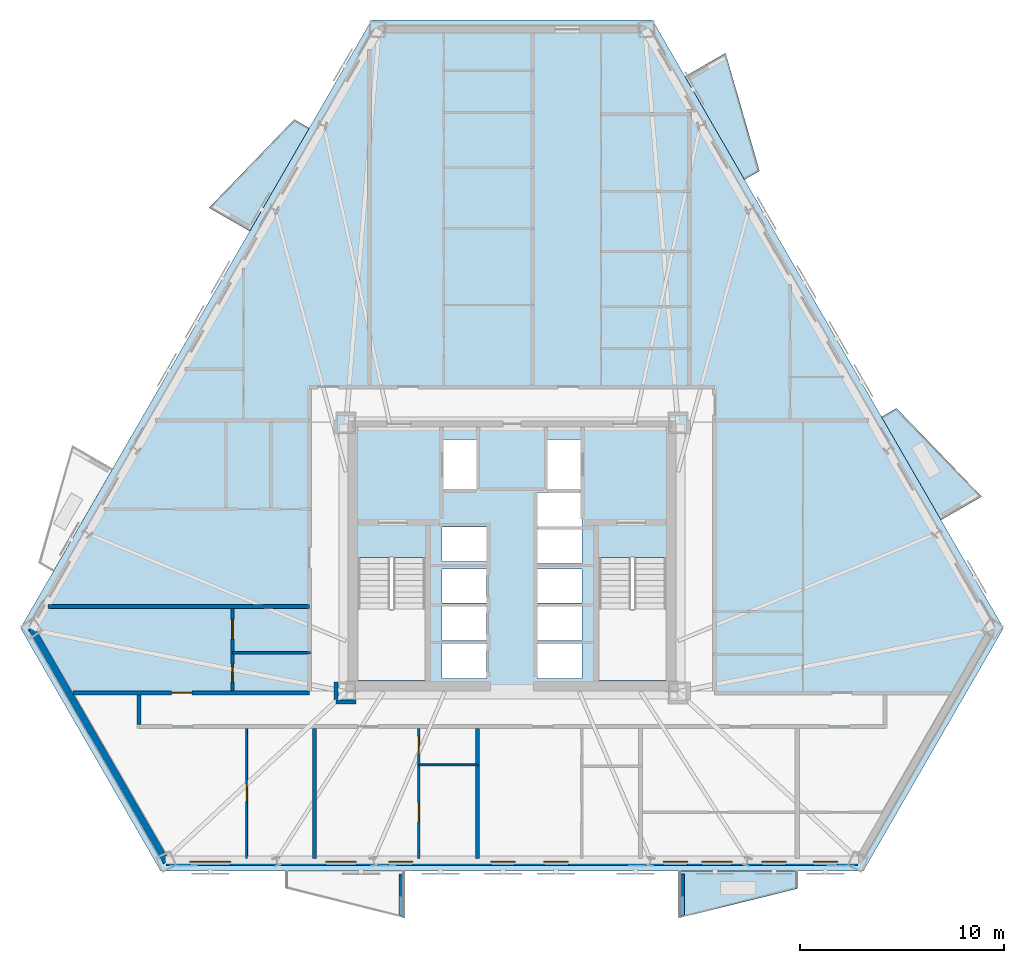
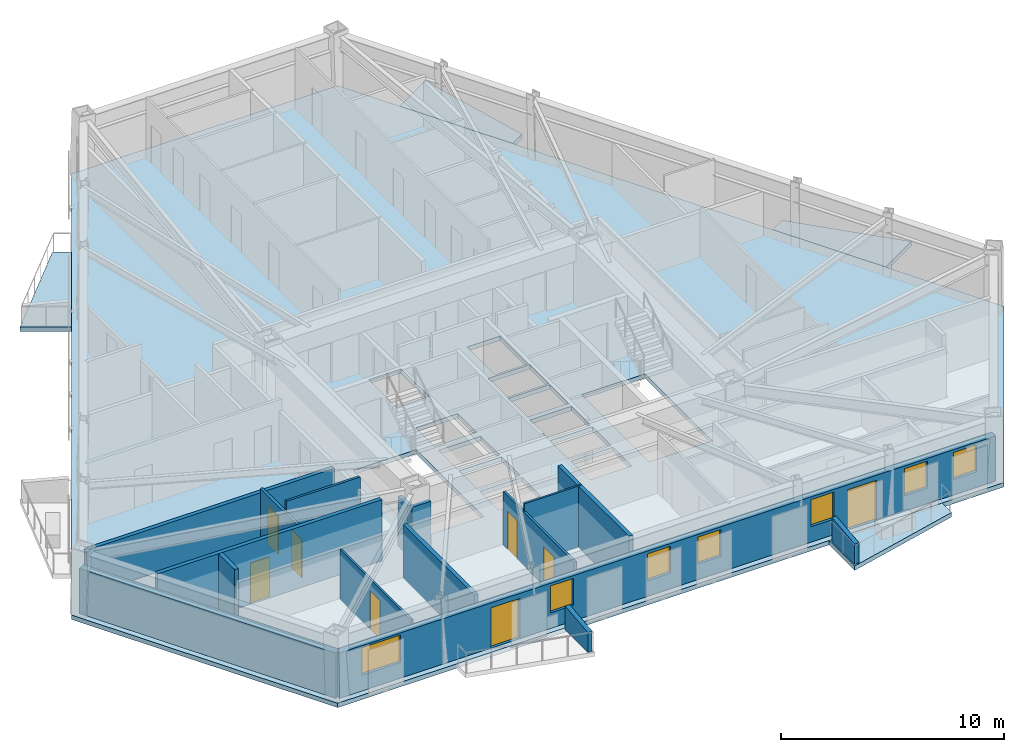
# One storey, part 2 of 10: 16 walls, 8 doors, 7 windows, 5 slabs, 15 openings.
"""IFC4 building model written with IfcOpenShell, lengths in metres."""

import ifcopenshell
import ifcopenshell.guid

model = None  # the IFC model being written
_history = None  # IfcOwnerHistory: only IFC2X3 demands one
_inside = {}  # id of a spatial element -> (the spatial element, [elements in it])
_under = {}  # id of a project, library or spatial element -> (it, [spatial elements below it])
_declared = {}  # id of a project -> (the project, [libraries it declares])
_typed = {}  # id of a type object -> (the type object, [elements of that type])
_made_of = {}  # id of a material, layer set ... -> (it, [elements and type objects made of it])


def new_model(schema):
    """Start an empty IFC model of exactly this schema.

    Asked for "IFC4X3", IfcOpenShell would pick the latest addendum, in which some entities
    have other attributes; the version numbers below select the first issue.
    IFC2X3 requires an IfcOwnerHistory on every rooted entity: one is made here for all.
    """
    global model, _history
    if schema == "IFC4X3":
        model = ifcopenshell.file(schema_version=(4, 3, 0, 0))
    else:
        model = ifcopenshell.file(schema=schema)
    _inside.clear()
    _under.clear()
    _declared.clear()
    _typed.clear()
    _made_of.clear()
    _history = None
    if model.schema == "IFC2X3":
        org = make("IfcOrganization", Name="unknown")
        user = make(
            "IfcPersonAndOrganization",
            ThePerson=make("IfcPerson", FamilyName="unknown"),
            TheOrganization=org,
        )
        app = make(
            "IfcApplication",
            ApplicationDeveloper=org,
            Version="unknown",
            ApplicationFullName="unknown",
            ApplicationIdentifier="unknown",
        )
        _history = make(
            "IfcOwnerHistory",
            OwningUser=user,
            OwningApplication=app,
            ChangeAction="ADDED",
            CreationDate=0,
        )
    return model


def make(cls, **values):
    """One entity of the class cls with the attributes given. An attribute that is None is left unset."""
    return model.create_entity(
        cls, **{name: value for name, value in values.items() if value is not None}
    )


def rooted(cls, **values):
    """An entity with a GlobalId (a new one), such as an element, a storey or a relation."""
    return make(cls, GlobalId=ifcopenshell.guid.new(), OwnerHistory=_history, **values)


def si_unit(unit_type, name, prefix=None):
    """IfcSIUnit, for example si_unit("LENGTHUNIT", "METRE", prefix="MILLI")."""
    return make("IfcSIUnit", UnitType=unit_type, Prefix=prefix, Name=name)


def assignment(units):
    """IfcUnitAssignment: the units of a project."""
    return None if units is None else make("IfcUnitAssignment", Units=units)


def point(xyz):
    """IfcCartesianPoint."""
    return None if xyz is None else make("IfcCartesianPoint", Coordinates=xyz)


def direction(xyz):
    """IfcDirection."""
    return None if xyz is None else make("IfcDirection", DirectionRatios=xyz)


def frame(location, z_axis=None, x_axis=None):
    """IfcAxis2Placement3D, a coordinate frame: its origin and axes. An axis left out is left unset."""
    return make(
        "IfcAxis2Placement3D",
        Location=point(location),
        Axis=direction(z_axis),
        RefDirection=direction(x_axis),
    )


def frame_2d(location, x_axis=None):
    """IfcAxis2Placement2D, a coordinate frame in the plane: its origin and x axis."""
    return make(
        "IfcAxis2Placement2D", Location=point(location), RefDirection=direction(x_axis)
    )


def origin():
    """The frame at (0, 0, 0) with its axes left unset."""
    return frame((0.0, 0.0, 0.0))


def place(relative_to, where):
    """IfcLocalPlacement: puts the frame where relative to a parent placement (None: the world)."""
    return make(
        "IfcLocalPlacement", PlacementRelTo=relative_to, RelativePlacement=where
    )


def context(
    kind, dimensions, precision=None, world=None, true_north=None, identifier=None
):
    """IfcGeometricRepresentationContext, for example the 3D "Model" context."""
    return make(
        "IfcGeometricRepresentationContext",
        ContextIdentifier=identifier,
        ContextType=kind,
        CoordinateSpaceDimension=dimensions,
        Precision=precision,
        WorldCoordinateSystem=world,
        TrueNorth=true_north,
    )


def subcontext(parent, identifier, kind, view, scale=None):
    """IfcGeometricRepresentationSubContext, for example "Body" below "Model"."""
    return make(
        "IfcGeometricRepresentationSubContext",
        ContextIdentifier=identifier,
        ContextType=kind,
        ParentContext=parent,
        TargetScale=scale,
        TargetView=view,
    )


def project(units=None, contexts=None):
    """IfcProject with its units and contexts."""
    return rooted(
        "IfcProject",
        Name="project",
        RepresentationContexts=contexts,
        UnitsInContext=assignment(units),
    )


def spatial(cls, under=None, at=None, **own):
    """A site, building, storey or space (cls), placed at a placement, below another one or the project."""
    s = rooted(cls, ObjectPlacement=at, **own)
    if under is not None:
        _under.setdefault(under.id(), (under, []))[1].append(s)
    return s


def polyline(points):
    """IfcPolyline through the points."""
    return make("IfcPolyline", Points=[point(p) for p in points])


def profile(cls, at=None, kind="AREA", **sizes):
    """A parametric profile (cls). Its sizes go by their IFC names, for example OverallWidth=200.0."""
    return make(cls, ProfileType=kind, Position=at, **sizes)


def rectangle(**sizes):
    """IfcRectangleProfileDef."""
    return profile("IfcRectangleProfileDef", **sizes)


def outline(outer, holes=None, kind="AREA"):
    """IfcArbitraryClosedProfileDef: a profile drawn as a closed curve; with holes, ...WithVoids."""
    if holes is None:
        return make("IfcArbitraryClosedProfileDef", ProfileType=kind, OuterCurve=outer)
    return make(
        "IfcArbitraryProfileDefWithVoids",
        ProfileType=kind,
        OuterCurve=outer,
        InnerCurves=holes,
    )


def extrude(swept, where, along, depth):
    """IfcExtrudedAreaSolid: the profile swept, set in the frame where, extruded along a direction by depth."""
    return make(
        "IfcExtrudedAreaSolid",
        SweptArea=swept,
        Position=where,
        ExtrudedDirection=direction(along),
        Depth=depth,
    )


def shape(context_of_items, identifier, shape_type, items):
    """IfcShapeRepresentation: the items that make up one representation, for example the "Body"."""
    return make(
        "IfcShapeRepresentation",
        ContextOfItems=context_of_items,
        RepresentationIdentifier=identifier,
        RepresentationType=shape_type,
        Items=items,
    )


def material(Name=None, Category=None):
    """IfcMaterial."""
    return make("IfcMaterial", Name=Name, Category=Category)


def layer(
    of_material, thickness, ventilated=None, Name=None, Category=None, Priority=None
):
    """IfcMaterialLayer: one layer of a wall or slab, of a material (None: an air gap)."""
    return make(
        "IfcMaterialLayer",
        Material=of_material,
        LayerThickness=thickness,
        IsVentilated=ventilated,
        Name=Name,
        Category=Category,
        Priority=Priority,
    )


def layer_set(layers, Name=None):
    """IfcMaterialLayerSet."""
    return make("IfcMaterialLayerSet", MaterialLayers=layers, LayerSetName=Name)


def made_of(thing, what):
    """Note that an element or type object is made of a material, layer set ...; save() writes the relation."""
    if what is not None:
        _made_of.setdefault(what.id(), (what, []))[1].append(thing)
    return thing


def type_object(cls, material=None, **own):
    """A type object (cls), such as IfcWallType, which elements share."""
    return made_of(rooted(cls, **own), material)


def element(
    cls,
    number,
    at=None,
    inside=None,
    cuts=None,
    type_object=None,
    material=None,
    context=None,
    identifier="Body",
    shape_type=None,
    held_by="IfcProductDefinitionShape",
    body=None,
    shapes=None,
    **own,
):
    """One element of the class cls, such as IfcWall. Its Tag is "e" and its number.

    at: its placement. inside: the storey or other place that contains it. cuts: it is an
    opening in that element (IfcRelVoidsElement). A single representation is given by context,
    identifier, shape_type and body (its items); several are given by shapes. held_by: the class
    of the entity that holds the representations. save() writes the other relations.
    """
    e = rooted(cls, Tag="e%d" % number, ObjectPlacement=at, **own)
    if body is not None:
        shapes = [shape(context, identifier, shape_type, body)]
    if shapes is not None:
        e.Representation = make(held_by, Representations=shapes)
    if inside is not None:
        _inside.setdefault(inside.id(), (inside, []))[1].append(e)
    if cuts is not None:
        rooted(
            "IfcRelVoidsElement", RelatingBuildingElement=cuts, RelatedOpeningElement=e
        )
    if type_object is not None:
        _typed.setdefault(type_object.id(), (type_object, []))[1].append(e)
    return made_of(e, material)


def fill(opening, filler):
    """IfcRelFillsElement: the door or window that sits in an opening."""
    return rooted(
        "IfcRelFillsElement",
        RelatingOpeningElement=opening,
        RelatedBuildingElement=filler,
    )


def aggregate(whole, parts):
    """IfcRelAggregates: a whole, such as a stair, and the parts it consists of."""
    return rooted("IfcRelAggregates", RelatingObject=whole, RelatedObjects=parts)


def save(model, path):
    """Write the relations noted so far, then the file.

    IfcRelAggregates (storeys below a building ...), IfcRelContainedInSpatialStructure (elements
    in a storey), IfcRelDefinesByType, IfcRelAssociatesMaterial and IfcRelDeclares: one each for
    every whole, place, type object, material and project.
    """
    for whole, parts in _under.values():
        aggregate(whole, parts)
    for where, things in _inside.values():
        rooted(
            "IfcRelContainedInSpatialStructure",
            RelatedElements=things,
            RelatingStructure=where,
        )
    for kind, things in _typed.values():
        rooted("IfcRelDefinesByType", RelatedObjects=things, RelatingType=kind)
    for what, things in _made_of.values():
        rooted("IfcRelAssociatesMaterial", RelatedObjects=things, RelatingMaterial=what)
    for by, libraries in _declared.values():
        rooted("IfcRelDeclares", RelatingContext=by, RelatedDefinitions=libraries)
    model.write(path)


model = new_model("IFC4")

# Units and contexts
model_context = context("Model", 3, precision=1e-05, world=origin(), true_north=direction((0.0, 1.0)))
body_context = subcontext(model_context, "Body", "Model", "MODEL_VIEW")
ifc_project = project(units=[si_unit("LENGTHUNIT", "METRE"), si_unit("AREAUNIT", "SQUARE_METRE"), si_unit("VOLUMEUNIT", "CUBIC_METRE"), si_unit("PLANEANGLEUNIT", "RADIAN"), si_unit("MASSUNIT", "GRAM", prefix="KILO")], contexts=[model_context])

# Site, building, storey
site_placement = place(None, origin())
site = spatial("IfcSite", under=ifc_project, at=site_placement, CompositionType="ELEMENT")
building_placement = place(site_placement, origin())
building = spatial("IfcBuilding", under=site, at=building_placement, Name="Oramaril Tower", CompositionType="ELEMENT")
storey_placement = place(building_placement, frame((0.0, 0.0, 74.10009765625)))
storey = spatial("IfcBuildingStorey", under=building, at=storey_placement, Name="L19", CompositionType="ELEMENT", Elevation=74.10009765625)

# Slabs
ifc_material_1 = material(Name="Concrete C40/50", Category="concrete")
ifc_layer_1 = layer(ifc_material_1, 0.199951171875)
ifc_layer_set_1 = layer_set([ifc_layer_1], Name="SLT-BAL20")
slab_type_1 = type_object("IfcSlabType", Name="SLT-BAL20", PredefinedType="FLOOR", material=ifc_layer_set_1)
slab_1_placement = place(storey_placement, frame((0.0, 0.0, -0.239990234375)))
element("IfcSlab", 1, at=slab_1_placement, inside=storey, type_object=slab_type_1, Name="L19 Cantilevered Balcony Slab L19-BAL-NE2", PredefinedType="FLOOR", context=body_context, shape_type="SweptSolid", body=[
    extrude(outline(polyline([(48.91259765625, 36.139892578125), (45.98779296875, 41.2060546875), (47.981201171875, 42.357177734375), (49.650390625, 36.56591796875), (48.91259765625, 36.139892578125)])), origin(), (0.0, 0.0, 1.0), 0.239990234375),
])
slab_2_placement = place(storey_placement, frame((0.0, 0.0, -0.239990234375)))
element("IfcSlab", 2, at=slab_2_placement, inside=storey, type_object=slab_type_1, Name="L19 Cantilevered Balcony Slab L19-BAL-NW1", PredefinedType="FLOOR", context=body_context, shape_type="SweptSolid", body=[
    extrude(outline(polyline([(27.5498046875, 38.673095703125), (24.624755859375, 33.606689453125), (22.631103515625, 34.7578125), (26.81201171875, 39.09912109375), (27.5498046875, 38.673095703125)])), origin(), (0.0, 0.0, 1.0), 0.239990234375),
])
ifc_material_2 = material(Name="Concrete C50/60", Category="concrete")
ifc_layer_2 = layer(ifc_material_2, 0.239990234375)
ifc_layer_set_2 = layer_set([ifc_layer_2], Name="SLT-FLR24")
slab_type_2 = type_object("IfcSlabType", Name="SLT-FLR24", PredefinedType="FLOOR", material=ifc_layer_set_2)
slab_3_placement = place(storey_placement, frame((0.0, 0.0, -0.239990234375)))
element("IfcSlab", 3, at=slab_3_placement, inside=storey, type_object=slab_type_2, Name="L19 Structural Floor Slab", PredefinedType="FLOOR", context=body_context, shape_type="SweptSolid", body=[
    extrude(outline(polyline([(13.3759765625, 14.127197265625), (20.265380859375, 2.1943359375), (54.734619140625, 2.1943359375), (61.6240234375, 14.127197265625), (44.389404296875, 43.978515625), (30.610595703125, 43.978515625), (13.3759765625, 14.127197265625)]), holes=[polyline([(29.949951171875, 17.58935546875), (29.949951171875, 11.550048828125), (33.219970703125, 11.550048828125), (33.219970703125, 17.58935546875), (29.949951171875, 17.58935546875)]), polyline([(41.780029296875, 17.58935546875), (41.780029296875, 11.550048828125), (45.050048828125, 11.550048828125), (45.050048828125, 17.58935546875), (41.780029296875, 17.58935546875)]), polyline([(34.110107421875, 20.909912109375), (35.7900390625, 20.909912109375), (35.7900390625, 23.389892578125), (34.110107421875, 23.389892578125), (34.110107421875, 20.909912109375)]), polyline([(39.2099609375, 20.909912109375), (40.889892578125, 20.909912109375), (40.889892578125, 23.389892578125), (39.2099609375, 23.389892578125), (39.2099609375, 20.909912109375)]), polyline([(34.06005859375, 11.659912109375), (36.239990234375, 11.659912109375), (36.239990234375, 13.340087890625), (34.06005859375, 13.340087890625), (34.06005859375, 11.659912109375)]), polyline([(34.06005859375, 13.510009765625), (36.239990234375, 13.510009765625), (36.239990234375, 15.18994140625), (34.06005859375, 15.18994140625), (34.06005859375, 13.510009765625)]), polyline([(34.06005859375, 15.360107421875), (36.239990234375, 15.360107421875), (36.239990234375, 17.0400390625), (34.06005859375, 17.0400390625), (34.06005859375, 15.360107421875)]), polyline([(38.760009765625, 11.659912109375), (40.93994140625, 11.659912109375), (40.93994140625, 13.340087890625), (38.760009765625, 13.340087890625), (38.760009765625, 11.659912109375)]), polyline([(38.760009765625, 13.510009765625), (40.93994140625, 13.510009765625), (40.93994140625, 15.18994140625), (38.760009765625, 15.18994140625), (38.760009765625, 13.510009765625)]), polyline([(38.760009765625, 15.360107421875), (40.93994140625, 15.360107421875), (40.93994140625, 17.0400390625), (38.760009765625, 17.0400390625), (38.760009765625, 15.360107421875)]), polyline([(34.06005859375, 17.409912109375), (36.239990234375, 17.409912109375), (36.239990234375, 19.090087890625), (34.06005859375, 19.090087890625), (34.06005859375, 17.409912109375)]), polyline([(38.760009765625, 17.31005859375), (40.93994140625, 17.31005859375), (40.93994140625, 18.989990234375), (38.760009765625, 18.989990234375), (38.760009765625, 17.31005859375)]), polyline([(38.760009765625, 19.110107421875), (40.93994140625, 19.110107421875), (40.93994140625, 20.7900390625), (38.760009765625, 20.7900390625), (38.760009765625, 19.110107421875)])]), origin(), (0.0, 0.0, 1.0), 0.239990234375),
])
ifc_material_3 = material(Name="Concrete C40/50", Category="concrete")
ifc_layer_3 = layer(ifc_material_3, 0.18994140625)
ifc_layer_set_3 = layer_set([ifc_layer_3], Name="SLT-PLN19")
slab_type_3 = type_object("IfcSlabType", Name="SLT-PLN19", PredefinedType="FLOOR", material=ifc_layer_set_3)
slab_4_placement = place(storey_placement, frame((0.0, 0.0, -0.239990234375)))
element("IfcSlab", 4, at=slab_4_placement, inside=storey, type_object=slab_type_3, Name="L19 Tree Planter Balcony Slab L19-BAL-S2", PredefinedType="FLOOR", context=body_context, shape_type="SweptSolid", body=[
    extrude(outline(polyline([(45.6845703125, 2.1962890625), (51.53466796875, 2.1962890625), (51.53466796875, 1.344482421875), (45.6845703125, -0.105712890625), (45.6845703125, 2.1962890625)])), origin(), (0.0, 0.0, 1.0), 0.239990234375),
])
slab_5_placement = place(storey_placement, frame((0.0, 0.0, -0.239990234375)))
element("IfcSlab", 5, at=slab_5_placement, inside=storey, type_object=slab_type_3, Name="L19 Tree Planter Balcony Slab L19-BAL-NE1", PredefinedType="FLOOR", context=body_context, shape_type="SweptSolid", body=[
    extrude(outline(polyline([(58.559814453125, 19.4306640625), (55.634765625, 24.496826171875), (56.37255859375, 24.9228515625), (60.553466796875, 20.58154296875), (58.559814453125, 19.4306640625)])), origin(), (0.0, 0.0, 1.0), 0.239990234375),
])

# Wall
ifc_material_4 = material(Name="Warm Cream Limestone", Category="masonry")
ifc_layer_4 = layer(ifc_material_4, 0.340087890625)
ifc_layer_set_4 = layer_set([ifc_layer_4], Name="WT-EXT34")
wall_type_1 = type_object("IfcWallType", Name="WT-EXT34", PredefinedType="SOLIDWALL", material=ifc_layer_set_4)
wall_1_placement = place(storey_placement, frame((13.9072265625, 14.127197265625, 0.0), z_axis=(0.0, 0.0, 1.0), x_axis=(0.499994178302, -0.866028764917, 0.0)))
element("IfcWall", 6, at=wall_1_placement, inside=storey, type_object=wall_type_1, Name="L19 Tower Limestone Facade Wall 1M", PredefinedType="SOLIDWALL", context=body_context, shape_type="SweptSolid", body=[
    extrude(rectangle(XDim=13.247802734375, YDim=0.340087890625, at=frame_2d((6.6240234375, 0.0))), origin(), (0.0, 0.0, 1.0), 2.473876953125),
])

# Wall, openings, doors, windows
wall_2_placement = place(storey_placement, frame((20.531005859375, 2.654296875, 0.0), z_axis=(0.0, 0.0, 1.0), x_axis=(1.0, 0.0, 0.0)))
wall_2 = element("IfcWall", 7, at=wall_2_placement, inside=storey, type_object=wall_type_1, Name="L19 Tower Limestone Facade Wall 2M", PredefinedType="SOLIDWALL", context=body_context, shape_type="SweptSolid", body=[
    extrude(rectangle(XDim=33.93798828125, YDim=0.340087890625, at=frame_2d((16.968994140625, 0.0))), origin(), (0.0, 0.0, 1.0), 2.473876953125),
])
opening_1_placement = place(wall_2_placement, frame((7.824462890625, 0.0, 0.0)))
opening_1 = element("IfcOpeningElement", 8, at=opening_1_placement, cuts=wall_2, Name="Opening D-L19-BAL-S1", PredefinedType="OPENING", context=body_context, shape_type="SweptSolid", body=[
    extrude(rectangle(XDim=1.5, YDim=2.199951171875, at=frame_2d((0.75, 1.10009765625))), frame((0.0, 0.169921875, 0.0), z_axis=(0.0, -1.0, 0.0), x_axis=(1.0, 0.0, 0.0)), (0.0, 0.0, 1.0), 0.340087890625),
])
opening_2_placement = place(wall_2_placement, frame((26.278564453125, 0.0, 0.0)))
opening_2 = element("IfcOpeningElement", 9, at=opening_2_placement, cuts=wall_2, Name="Opening D-L19-BAL-S2", PredefinedType="OPENING", context=body_context, shape_type="SweptSolid", body=[
    extrude(rectangle(XDim=1.5, YDim=2.199951171875, at=frame_2d((0.75, 1.10009765625))), frame((0.0, 0.169921875, 0.0), z_axis=(0.0, -1.0, 0.0), x_axis=(1.0, 0.0, 0.0)), (0.0, 0.0, 1.0), 0.340087890625),
])
opening_3_placement = place(wall_2_placement, frame((1.160888671875, 0.0, 0.85009765625)))
opening_3 = element("IfcOpeningElement", 10, at=opening_3_placement, cuts=wall_2, Name="Opening WN-05", PredefinedType="OPENING", context=body_context, shape_type="SweptSolid", body=[
    extrude(rectangle(XDim=2.0, YDim=1.513916015625, at=frame_2d((1.0, 0.7568359375))), frame((0.0, 0.169921875, 0.0), z_axis=(0.0, -1.0, 0.0), x_axis=(1.0, 0.0, 0.0)), (0.0, 0.0, 1.0), 0.340087890625),
])
opening_4_placement = place(wall_2_placement, frame((10.908203125, 0.0, 0.85009765625)))
opening_4 = element("IfcOpeningElement", 11, at=opening_4_placement, cuts=wall_2, Name="Opening WN-09", PredefinedType="OPENING", context=body_context, shape_type="SweptSolid", body=[
    extrude(rectangle(XDim=1.199951171875, YDim=1.47412109375, at=frame_2d((0.60009765625, 0.737060546875))), frame((0.0, 0.169921875, 0.0), z_axis=(0.0, -1.0, 0.0), x_axis=(1.0, 0.0, 0.0)), (0.0, 0.0, 1.0), 0.340087890625),
])
opening_5_placement = place(wall_2_placement, frame((15.926513671875, 0.0, 0.85009765625)))
opening_5 = element("IfcOpeningElement", 12, at=opening_5_placement, cuts=wall_2, Name="Opening WN-09", PredefinedType="OPENING", context=body_context, shape_type="SweptSolid", body=[
    extrude(rectangle(XDim=1.199951171875, YDim=1.47412109375, at=frame_2d((0.60009765625, 0.737060546875))), frame((0.0, 0.169921875, 0.0), z_axis=(0.0, -1.0, 0.0), x_axis=(1.0, 0.0, 0.0)), (0.0, 0.0, 1.0), 0.340087890625),
])
opening_6_placement = place(wall_2_placement, frame((18.531494140625, 0.0, 0.85009765625)))
opening_6 = element("IfcOpeningElement", 13, at=opening_6_placement, cuts=wall_2, Name="Opening WN-09", PredefinedType="OPENING", context=body_context, shape_type="SweptSolid", body=[
    extrude(rectangle(XDim=1.199951171875, YDim=1.47412109375, at=frame_2d((0.60009765625, 0.737060546875))), frame((0.0, 0.169921875, 0.0), z_axis=(0.0, -1.0, 0.0), x_axis=(1.0, 0.0, 0.0)), (0.0, 0.0, 1.0), 0.340087890625),
])
opening_7_placement = place(wall_2_placement, frame((24.38818359375, 0.0, 0.85009765625)))
opening_7 = element("IfcOpeningElement", 14, at=opening_7_placement, cuts=wall_2, Name="Opening WN-09", PredefinedType="OPENING", context=body_context, shape_type="SweptSolid", body=[
    extrude(rectangle(XDim=1.199951171875, YDim=1.47412109375, at=frame_2d((0.60009765625, 0.737060546875))), frame((0.0, 0.169921875, 0.0), z_axis=(0.0, -1.0, 0.0), x_axis=(1.0, 0.0, 0.0)), (0.0, 0.0, 1.0), 0.340087890625),
])
opening_8_placement = place(wall_2_placement, frame((29.22021484375, 0.0, 0.85009765625)))
opening_8 = element("IfcOpeningElement", 15, at=opening_8_placement, cuts=wall_2, Name="Opening WN-09", PredefinedType="OPENING", context=body_context, shape_type="SweptSolid", body=[
    extrude(rectangle(XDim=1.199951171875, YDim=1.47412109375, at=frame_2d((0.60009765625, 0.737060546875))), frame((0.0, 0.169921875, 0.0), z_axis=(0.0, -1.0, 0.0), x_axis=(1.0, 0.0, 0.0)), (0.0, 0.0, 1.0), 0.340087890625),
])
opening_9_placement = place(wall_2_placement, frame((31.75390625, 0.0, 0.85009765625)))
opening_9 = element("IfcOpeningElement", 16, at=opening_9_placement, cuts=wall_2, Name="Opening WN-09", PredefinedType="OPENING", context=body_context, shape_type="SweptSolid", body=[
    extrude(rectangle(XDim=1.199951171875, YDim=1.47412109375, at=frame_2d((0.60009765625, 0.737060546875))), frame((0.0, 0.169921875, 0.0), z_axis=(0.0, -1.0, 0.0), x_axis=(1.0, 0.0, 0.0)), (0.0, 0.0, 1.0), 0.340087890625),
])
ifc_material_5 = material(Name="Anodised Aluminium 6063-T6", Category="aluminium")
door_type_1 = type_object("IfcDoorType", Name="DT-BAL", OperationType="NOTDEFINED", PredefinedType="DOOR", material=ifc_material_5)
door_1_placement = place(opening_1_placement, origin())
door_1 = element("IfcDoor", 17, at=door_1_placement, inside=storey, type_object=door_type_1, Name="L19 Balcony Glazed Door L19-BAL-S1", OperationType="SINGLE_SWING_RIGHT", OverallHeight=2.199951171875, OverallWidth=1.5, PredefinedType="DOOR", context=body_context, shape_type="SweptSolid", body=[
    extrude(rectangle(XDim=1.5, YDim=2.199951171875, at=frame_2d((0.75, 1.10009765625))), frame((0.0, 0.02490234375, 0.0), z_axis=(0.0, -1.0, 0.0), x_axis=(1.0, 0.0, 0.0)), (0.0, 0.0, 1.0), 0.050048828125),
])
fill(opening_1, door_1)
door_2_placement = place(opening_2_placement, origin())
door_2 = element("IfcDoor", 18, at=door_2_placement, inside=storey, type_object=door_type_1, Name="L19 Balcony Glazed Door L19-BAL-S2", OperationType="SINGLE_SWING_LEFT", OverallHeight=2.199951171875, OverallWidth=1.5, PredefinedType="DOOR", context=body_context, shape_type="SweptSolid", body=[
    extrude(rectangle(XDim=1.5, YDim=2.199951171875, at=frame_2d((0.75, 1.10009765625))), frame((0.0, 0.02490234375, 0.0), z_axis=(0.0, -1.0, 0.0), x_axis=(1.0, 0.0, 0.0)), (0.0, 0.0, 1.0), 0.050048828125),
])
fill(opening_2, door_2)
ifc_material_6 = material(Name="Coastal Low-E Insulated Glass", Category="glass")
window_type_1 = type_object("IfcWindowType", Name="WNT-05", PartitioningType="SINGLE_PANEL", PredefinedType="WINDOW", material=ifc_material_6)
window_1_placement = place(opening_3_placement, origin())
window_1 = element("IfcWindow", 19, at=window_1_placement, inside=storey, type_object=window_type_1, Name="L19 Chicago Bay Window WN-05", OverallHeight=1.513916015625, OverallWidth=2.0, PartitioningType="SINGLE_PANEL", PredefinedType="WINDOW", context=body_context, shape_type="SweptSolid", body=[
    extrude(rectangle(XDim=2.0, YDim=1.513916015625, at=frame_2d((1.0, 0.7568359375))), frame((0.0, 0.030029296875, 0.0), z_axis=(0.0, -1.0, 0.0), x_axis=(1.0, 0.0, 0.0)), (0.0, 0.0, 1.0), 0.06005859375),
])
fill(opening_3, window_1)
ifc_material_7 = material(Name="Coastal Low-E Insulated Glass", Category="glass")
window_type_2 = type_object("IfcWindowType", Name="WNT-09", PartitioningType="SINGLE_PANEL", PredefinedType="WINDOW", material=ifc_material_7)
window_2_placement = place(opening_4_placement, origin())
window_2 = element("IfcWindow", 20, at=window_2_placement, inside=storey, type_object=window_type_2, Name="L19 Chicago Bay Window WN-09", OverallHeight=1.47412109375, OverallWidth=1.199951171875, PartitioningType="SINGLE_PANEL", PredefinedType="WINDOW", context=body_context, shape_type="SweptSolid", body=[
    extrude(rectangle(XDim=1.199951171875, YDim=1.47412109375, at=frame_2d((0.60009765625, 0.737060546875))), frame((0.0, 0.030029296875, 0.0), z_axis=(0.0, -1.0, 0.0), x_axis=(1.0, 0.0, 0.0)), (0.0, 0.0, 1.0), 0.06005859375),
])
fill(opening_4, window_2)
window_3_placement = place(opening_5_placement, origin())
window_3 = element("IfcWindow", 21, at=window_3_placement, inside=storey, type_object=window_type_2, Name="L19 Chicago Bay Window WN-09", OverallHeight=1.47412109375, OverallWidth=1.199951171875, PartitioningType="SINGLE_PANEL", PredefinedType="WINDOW", context=body_context, shape_type="SweptSolid", body=[
    extrude(rectangle(XDim=1.199951171875, YDim=1.47412109375, at=frame_2d((0.60009765625, 0.737060546875))), frame((0.0, 0.030029296875, 0.0), z_axis=(0.0, -1.0, 0.0), x_axis=(1.0, 0.0, 0.0)), (0.0, 0.0, 1.0), 0.06005859375),
])
fill(opening_5, window_3)
window_4_placement = place(opening_6_placement, origin())
window_4 = element("IfcWindow", 22, at=window_4_placement, inside=storey, type_object=window_type_2, Name="L19 Chicago Bay Window WN-09", OverallHeight=1.47412109375, OverallWidth=1.199951171875, PartitioningType="SINGLE_PANEL", PredefinedType="WINDOW", context=body_context, shape_type="SweptSolid", body=[
    extrude(rectangle(XDim=1.199951171875, YDim=1.47412109375, at=frame_2d((0.60009765625, 0.737060546875))), frame((0.0, 0.030029296875, 0.0), z_axis=(0.0, -1.0, 0.0), x_axis=(1.0, 0.0, 0.0)), (0.0, 0.0, 1.0), 0.06005859375),
])
fill(opening_6, window_4)
window_5_placement = place(opening_7_placement, origin())
window_5 = element("IfcWindow", 23, at=window_5_placement, inside=storey, type_object=window_type_2, Name="L19 Chicago Bay Window WN-09", OverallHeight=1.47412109375, OverallWidth=1.199951171875, PartitioningType="SINGLE_PANEL", PredefinedType="WINDOW", context=body_context, shape_type="SweptSolid", body=[
    extrude(rectangle(XDim=1.199951171875, YDim=1.47412109375, at=frame_2d((0.60009765625, 0.737060546875))), frame((0.0, 0.030029296875, 0.0), z_axis=(0.0, -1.0, 0.0), x_axis=(1.0, 0.0, 0.0)), (0.0, 0.0, 1.0), 0.06005859375),
])
fill(opening_7, window_5)
window_6_placement = place(opening_8_placement, origin())
window_6 = element("IfcWindow", 24, at=window_6_placement, inside=storey, type_object=window_type_2, Name="L19 Chicago Bay Window WN-09", OverallHeight=1.47412109375, OverallWidth=1.199951171875, PartitioningType="SINGLE_PANEL", PredefinedType="WINDOW", context=body_context, shape_type="SweptSolid", body=[
    extrude(rectangle(XDim=1.199951171875, YDim=1.47412109375, at=frame_2d((0.60009765625, 0.737060546875))), frame((0.0, 0.030029296875, 0.0), z_axis=(0.0, -1.0, 0.0), x_axis=(1.0, 0.0, 0.0)), (0.0, 0.0, 1.0), 0.06005859375),
])
fill(opening_8, window_6)
window_7_placement = place(opening_9_placement, origin())
window_7 = element("IfcWindow", 25, at=window_7_placement, inside=storey, type_object=window_type_2, Name="L19 Chicago Bay Window WN-09", OverallHeight=1.47412109375, OverallWidth=1.199951171875, PartitioningType="SINGLE_PANEL", PredefinedType="WINDOW", context=body_context, shape_type="SweptSolid", body=[
    extrude(rectangle(XDim=1.199951171875, YDim=1.47412109375, at=frame_2d((0.60009765625, 0.737060546875))), frame((0.0, 0.030029296875, 0.0), z_axis=(0.0, -1.0, 0.0), x_axis=(1.0, 0.0, 0.0)), (0.0, 0.0, 1.0), 0.06005859375),
])
fill(opening_9, window_7)

# Walls
ifc_material_8 = material(Name="Concrete C40/50", Category="concrete")
ifc_layer_5 = layer(ifc_material_8, 0.22998046875)
ifc_layer_set_5 = layer_set([ifc_layer_5], Name="WT-PRP23")
wall_type_2 = type_object("IfcWallType", Name="WT-PRP23", PredefinedType="PARAPET", material=ifc_layer_set_5)
for number, where, z_axis, x_axis, name in (
    (26, (32.060302734375, 2.056396484375, 0.0), (0.0, 0.0, 1.0), (0.0, -1.0, 0.0), "L19 Trapezoidal Balcony Frame Cheek L19-BAL-S1-R"),
    (27, (45.864501953125, 2.056396484375, 0.0), (0.0, 0.0, 1.0), (0.0, -1.0, 0.0), "L19 Trapezoidal Balcony Frame Cheek L19-BAL-S2-L"),
):
    element("IfcWall", number, at=place(storey_placement, frame(where, z_axis=z_axis, x_axis=x_axis)), inside=storey, type_object=wall_type_2, Name=name, PredefinedType="PARAPET", context=body_context, shape_type="SweptSolid", body=[
        extrude(outline(polyline([(0.0, 0.0), (2.0419921875, 0.0), (2.0419921875, 1.099853515625), (0.0, 1.31982421875), (0.0, 0.0)])), frame((0.0, 0.114990234375, 0.0), z_axis=(0.0, -1.0, 0.0), x_axis=(1.0, 0.0, 0.0)), (0.0, 0.0, 1.0), 0.22998046875),
    ])
ifc_material_9 = material(Name="Acoustic Gypsum Board Partition")
ifc_layer_6 = layer(ifc_material_9, 0.10009765625)
ifc_layer_set_6 = layer_set([ifc_layer_6], Name="WT-PT10")
wall_type_3 = type_object("IfcWallType", Name="WT-PT10", PredefinedType="PARTITIONING", material=ifc_layer_set_6)
wall_3_placement = place(storey_placement, frame((32.919921875, 7.409912109375, 0.0), z_axis=(0.0, 0.0, 1.0), x_axis=(1.0, 0.0, 0.0)))
element("IfcWall", 28, at=wall_3_placement, inside=storey, type_object=wall_type_3, Name="L19 Interior Partition PT-10", PredefinedType="PARTITIONING", context=body_context, shape_type="SweptSolid", body=[
    extrude(rectangle(XDim=2.93017578125, YDim=0.10009765625, at=frame_2d((1.465087890625, 0.0))), origin(), (0.0, 0.0, 1.0), 3.33984375),
])

# Wall, opening, door
wall_4_placement = place(storey_placement, frame((24.469970703125, 2.828369140625, 0.0), z_axis=(0.0, 0.0, 1.0), x_axis=(0.0, 1.0, 0.0)))
wall_4 = element("IfcWall", 29, at=wall_4_placement, inside=storey, type_object=wall_type_3, Name="L19 Interior Partition PT-10", PredefinedType="PARTITIONING", context=body_context, shape_type="SweptSolid", body=[
    extrude(rectangle(XDim=6.36767578125, YDim=0.10009765625, at=frame_2d((3.183837890625, 0.0))), origin(), (0.0, 0.0, 1.0), 2.718017578125),
])
opening_10_placement = place(wall_4_placement, frame((2.78369140625, 0.0, 0.0)))
opening_10 = element("IfcOpeningElement", 30, at=opening_10_placement, cuts=wall_4, Name="Opening D-L19-20", PredefinedType="OPENING", context=body_context, shape_type="SweptSolid", body=[
    extrude(rectangle(XDim=0.8798828125, YDim=2.080078125, at=frame_2d((0.43994140625, 1.0400390625))), frame((0.0, 0.050048828125, 0.0), z_axis=(0.0, -1.0, 0.0), x_axis=(1.0, 0.0, 0.0)), (0.0, 0.0, 1.0), 0.10009765625),
])
ifc_material_10 = material(Name="FSC Brazilian Freijo Hardwood", Category="wood")
door_type_2 = type_object("IfcDoorType", Name="DT-BATH", OperationType="NOTDEFINED", PredefinedType="DOOR", material=ifc_material_10)
door_3_placement = place(opening_10_placement, origin())
door_3 = element("IfcDoor", 31, at=door_3_placement, inside=storey, type_object=door_type_2, Name="L19 Flat L19-U1 Bathroom Door D-L19-20", OperationType="SINGLE_SWING_RIGHT", OverallHeight=2.080078125, OverallWidth=0.8798828125, PredefinedType="DOOR", context=body_context, shape_type="SweptSolid", body=[
    extrude(rectangle(XDim=0.8798828125, YDim=2.080078125, at=frame_2d((0.43994140625, 1.0400390625))), frame((0.0, 0.02490234375, 0.0), z_axis=(0.0, -1.0, 0.0), x_axis=(1.0, 0.0, 0.0)), (0.0, 0.0, 1.0), 0.050048828125),
])
fill(opening_10, door_3)

# Wall
ifc_material_11 = material(Name="Acoustic Gypsum Board Partition")
ifc_layer_7 = layer(ifc_material_11, 0.1201171875)
ifc_layer_set_7 = layer_set([ifc_layer_7], Name="WT-PT12")
wall_type_4 = type_object("IfcWallType", Name="WT-PT12", PredefinedType="PARTITIONING", material=ifc_layer_set_7)
wall_5_placement = place(storey_placement, frame((23.778564453125, 12.919921875, 0.0), z_axis=(0.0, 0.0, 1.0), x_axis=(1.0, 0.0, 0.0)))
element("IfcWall", 32, at=wall_5_placement, inside=storey, type_object=wall_type_4, Name="L19 Interior Partition PT-12", PredefinedType="PARTITIONING", context=body_context, shape_type="SweptSolid", body=[
    extrude(rectangle(XDim=3.821533203125, YDim=0.1201171875, at=frame_2d((1.91064453125, 0.0))), origin(), (0.0, 0.0, 1.0), 3.33984375),
])

# Wall, openings, doors
wall_6_placement = place(storey_placement, frame((32.919921875, 2.828369140625, 0.0), z_axis=(0.0, 0.0, 1.0), x_axis=(0.0, 1.0, 0.0)))
wall_6 = element("IfcWall", 33, at=wall_6_placement, inside=storey, type_object=wall_type_4, Name="L19 Interior Partition PT-12", PredefinedType="PARTITIONING", context=body_context, shape_type="SweptSolid", body=[
    extrude(rectangle(XDim=6.36767578125, YDim=0.1201171875, at=frame_2d((3.183837890625, 0.0))), origin(), (0.0, 0.0, 1.0), 2.92578125),
])
opening_11_placement = place(wall_6_placement, frame((1.788818359375, 0.0, 0.0)))
opening_11 = element("IfcOpeningElement", 34, at=opening_11_placement, cuts=wall_6, Name="Opening D-L19-22", PredefinedType="OPENING", context=body_context, shape_type="SweptSolid", body=[
    extrude(rectangle(XDim=0.949951171875, YDim=2.10009765625, at=frame_2d((0.47509765625, 1.050048828125))), frame((0.0, 0.06005859375, 0.0), z_axis=(0.0, -1.0, 0.0), x_axis=(1.0, 0.0, 0.0)), (0.0, 0.0, 1.0), 0.1201171875),
])
opening_12_placement = place(wall_6_placement, frame((5.1015625, 0.0, 0.0)))
opening_12 = element("IfcOpeningElement", 35, at=opening_12_placement, cuts=wall_6, Name="Opening D-L19-23", PredefinedType="OPENING", context=body_context, shape_type="SweptSolid", body=[
    extrude(rectangle(XDim=0.8798828125, YDim=2.080078125, at=frame_2d((0.43994140625, 1.0400390625))), frame((0.0, 0.06005859375, 0.0), z_axis=(0.0, -1.0, 0.0), x_axis=(1.0, 0.0, 0.0)), (0.0, 0.0, 1.0), 0.1201171875),
])
door_4_placement = place(opening_12_placement, origin())
door_4 = element("IfcDoor", 36, at=door_4_placement, inside=storey, type_object=door_type_2, Name="L19 Flat L19-U2 Bathroom Door D-L19-23", OperationType="SINGLE_SWING_LEFT", OverallHeight=2.080078125, OverallWidth=0.8798828125, PredefinedType="DOOR", context=body_context, shape_type="SweptSolid", body=[
    extrude(rectangle(XDim=0.8798828125, YDim=2.080078125, at=frame_2d((0.43994140625, 1.0400390625))), frame((0.0, 0.02490234375, 0.0), z_axis=(0.0, -1.0, 0.0), x_axis=(1.0, 0.0, 0.0)), (0.0, 0.0, 1.0), 0.050048828125),
])
fill(opening_12, door_4)
ifc_material_12 = material(Name="FSC Brazilian Freijo Hardwood", Category="wood")
door_type_3 = type_object("IfcDoorType", Name="DT-STDY", OperationType="NOTDEFINED", PredefinedType="DOOR", material=ifc_material_12)
door_5_placement = place(opening_11_placement, origin())
door_5 = element("IfcDoor", 37, at=door_5_placement, inside=storey, type_object=door_type_3, Name="L19 Flat L19-U2 Kitchen Door D-L19-22", OperationType="SINGLE_SWING_RIGHT", OverallHeight=2.10009765625, OverallWidth=0.949951171875, PredefinedType="DOOR", context=body_context, shape_type="SweptSolid", body=[
    extrude(rectangle(XDim=0.949951171875, YDim=2.10009765625, at=frame_2d((0.47509765625, 1.050048828125))), frame((0.0, 0.02490234375, 0.0), z_axis=(0.0, -1.0, 0.0), x_axis=(1.0, 0.0, 0.0)), (0.0, 0.0, 1.0), 0.050048828125),
])
fill(opening_11, door_5)

ifc_material_13 = material(Name="Acoustic Gypsum Board Partition")
ifc_layer_8 = layer(ifc_material_13, 0.139892578125)
ifc_layer_set_8 = layer_set([ifc_layer_8], Name="WT-PT14")
wall_type_5 = type_object("IfcWallType", Name="WT-PT14", PredefinedType="PARTITIONING", material=ifc_layer_set_8)
wall_7_placement = place(storey_placement, frame((23.780029296875, 11.053955078125, 0.0), z_axis=(0.0, 0.0, 1.0), x_axis=(0.0, 1.0, 0.0)))
wall_7 = element("IfcWall", 38, at=wall_7_placement, inside=storey, type_object=wall_type_5, Name="L19 Interior Partition PT-14", PredefinedType="PARTITIONING", context=body_context, shape_type="SweptSolid", body=[
    extrude(rectangle(XDim=4.0419921875, YDim=0.139892578125, at=frame_2d((2.02099609375, 0.0))), origin(), (0.0, 0.0, 1.0), 2.718017578125),
])
opening_13_placement = place(wall_7_placement, frame((0.423583984375, 0.0, 0.0)))
opening_13 = element("IfcOpeningElement", 39, at=opening_13_placement, cuts=wall_7, Name="Opening D-L19-16", PredefinedType="OPENING", context=body_context, shape_type="SweptSolid", body=[
    extrude(rectangle(XDim=0.8798828125, YDim=2.080078125, at=frame_2d((0.43994140625, 1.0400390625))), frame((0.0, 0.06982421875, 0.0), z_axis=(0.0, -1.0, 0.0), x_axis=(1.0, 0.0, 0.0)), (0.0, 0.0, 1.0), 0.139892578125),
])
opening_14_placement = place(wall_7_placement, frame((2.543701171875, 0.0, 0.0)))
opening_14 = element("IfcOpeningElement", 40, at=opening_14_placement, cuts=wall_7, Name="Opening D-L19-17", PredefinedType="OPENING", context=body_context, shape_type="SweptSolid", body=[
    extrude(rectangle(XDim=0.949951171875, YDim=2.10009765625, at=frame_2d((0.47509765625, 1.050048828125))), frame((0.0, 0.06982421875, 0.0), z_axis=(0.0, -1.0, 0.0), x_axis=(1.0, 0.0, 0.0)), (0.0, 0.0, 1.0), 0.139892578125),
])
door_6_placement = place(opening_13_placement, origin())
door_6 = element("IfcDoor", 41, at=door_6_placement, inside=storey, type_object=door_type_2, Name="L19 Flat L19-U6 Bathroom Door D-L19-16", OperationType="SINGLE_SWING_RIGHT", OverallHeight=2.080078125, OverallWidth=0.8798828125, PredefinedType="DOOR", context=body_context, shape_type="SweptSolid", body=[
    extrude(rectangle(XDim=0.8798828125, YDim=2.080078125, at=frame_2d((0.43994140625, 1.0400390625))), frame((0.0, 0.02490234375, 0.0), z_axis=(0.0, -1.0, 0.0), x_axis=(1.0, 0.0, 0.0)), (0.0, 0.0, 1.0), 0.050048828125),
])
fill(opening_13, door_6)
door_7_placement = place(opening_14_placement, origin())
door_7 = element("IfcDoor", 42, at=door_7_placement, inside=storey, type_object=door_type_3, Name="L19 Flat L19-U6 Kitchen Door D-L19-17", OperationType="SINGLE_SWING_LEFT", OverallHeight=2.10009765625, OverallWidth=0.949951171875, PredefinedType="DOOR", context=body_context, shape_type="SweptSolid", body=[
    extrude(rectangle(XDim=0.949951171875, YDim=2.10009765625, at=frame_2d((0.47509765625, 1.050048828125))), frame((0.0, 0.02490234375, 0.0), z_axis=(0.0, -1.0, 0.0), x_axis=(1.0, 0.0, 0.0)), (0.0, 0.0, 1.0), 0.050048828125),
])
fill(opening_14, door_7)

# Wall
ifc_material_14 = material(Name="Autoclaved Cellular Concrete Block", Category="concrete")
ifc_layer_9 = layer(ifc_material_14, 0.199951171875)
ifc_layer_set_9 = layer_set([ifc_layer_9], Name="WT-PT20")
wall_type_6 = type_object("IfcWallType", Name="WT-PT20", PredefinedType="PARTITIONING", material=ifc_layer_set_9)
wall_8_placement = place(storey_placement, frame((28.860107421875, 10.510009765625, 0.0), z_axis=(0.0, 0.0, 1.0), x_axis=(1.0, 0.0, 0.0)))
element("IfcWall", 43, at=wall_8_placement, inside=storey, type_object=wall_type_6, Name="L19 Interior Partition PT-20", PredefinedType="PARTITIONING", context=body_context, shape_type="SweptSolid", body=[
    extrude(rectangle(XDim=0.97998046875, YDim=0.199951171875, at=frame_2d((0.489990234375, 0.0))), origin(), (0.0, 0.0, 1.0), 2.718017578125),
])

# Wall, opening, door
wall_9_placement = place(storey_placement, frame((15.9423828125, 10.949951171875, 0.0), z_axis=(0.0, 0.0, 1.0), x_axis=(1.0, 0.0, 0.0)))
wall_9 = element("IfcWall", 44, at=wall_9_placement, inside=storey, type_object=wall_type_6, Name="L19 Interior Partition PT-20", PredefinedType="PARTITIONING", context=body_context, shape_type="SweptSolid", body=[
    extrude(rectangle(XDim=11.607666015625, YDim=0.199951171875, at=frame_2d((5.8037109375, 0.0))), origin(), (0.0, 0.0, 1.0), 3.33984375),
])
opening_15_placement = place(wall_9_placement, frame((4.849853515625, 0.0, 0.0)))
opening_15 = element("IfcOpeningElement", 45, at=opening_15_placement, cuts=wall_9, Name="Opening D-L19-08", PredefinedType="OPENING", context=body_context, shape_type="SweptSolid", body=[
    extrude(rectangle(XDim=1.0, YDim=2.179931640625, at=frame_2d((0.5, 1.08984375))), frame((0.0, 0.10009765625, 0.0), z_axis=(0.0, -1.0, 0.0), x_axis=(1.0, 0.0, 0.0)), (0.0, 0.0, 1.0), 0.199951171875),
])
ifc_material_15 = material(Name="FSC Brazilian Freijo Hardwood", Category="wood")
door_type_4 = type_object("IfcDoorType", Name="DT-APT", OperationType="NOTDEFINED", PredefinedType="DOOR", material=ifc_material_15)
door_8_placement = place(opening_15_placement, origin())
door_8 = element("IfcDoor", 46, at=door_8_placement, inside=storey, type_object=door_type_4, Name="L19 Flat L19-U6 Studio Apartment Door D-L19-08", OperationType="SINGLE_SWING_RIGHT", OverallHeight=2.179931640625, OverallWidth=1.0, PredefinedType="DOOR", context=body_context, shape_type="SweptSolid", body=[
    extrude(rectangle(XDim=1.0, YDim=2.179931640625, at=frame_2d((0.5, 1.08984375))), frame((0.0, 0.02490234375, 0.0), z_axis=(0.0, -1.0, 0.0), x_axis=(1.0, 0.0, 0.0)), (0.0, 0.0, 1.0), 0.050048828125),
])
fill(opening_15, door_8)

# Walls
wall_10_placement = place(storey_placement, frame((14.7275390625, 15.199951171875, 0.0), z_axis=(0.0, 0.0, 1.0), x_axis=(1.0, 0.0, 0.0)))
element("IfcWall", 47, at=wall_10_placement, inside=storey, type_object=wall_type_6, Name="L19 Interior Partition PT-20", PredefinedType="PARTITIONING", context=body_context, shape_type="SweptSolid", body=[
    extrude(rectangle(XDim=12.822509765625, YDim=0.199951171875, at=frame_2d((6.4111328125, 0.0))), origin(), (0.0, 0.0, 1.0), 2.473876953125),
])
wall_11_placement = place(storey_placement, frame((19.199951171875, 9.404052734375, 0.0), z_axis=(0.0, 0.0, 1.0), x_axis=(0.0, 1.0, 0.0)))
element("IfcWall", 48, at=wall_11_placement, inside=storey, type_object=wall_type_6, Name="L19 Interior Partition PT-20", PredefinedType="PARTITIONING", context=body_context, shape_type="SweptSolid", body=[
    extrude(rectangle(XDim=1.44189453125, YDim=0.199951171875, at=frame_2d((0.720947265625, 0.0))), origin(), (0.0, 0.0, 1.0), 3.33984375),
])
wall_12_placement = place(storey_placement, frame((27.800048828125, 2.828369140625, 0.0), z_axis=(0.0, 0.0, 1.0), x_axis=(0.0, 1.0, 0.0)))
element("IfcWall", 49, at=wall_12_placement, inside=storey, type_object=wall_type_6, Name="L19 Interior Partition PT-20", PredefinedType="PARTITIONING", context=body_context, shape_type="SweptSolid", body=[
    extrude(rectangle(XDim=6.36767578125, YDim=0.199951171875, at=frame_2d((3.183837890625, 0.0))), origin(), (0.0, 0.0, 1.0), 2.92578125),
])
wall_13_placement = place(storey_placement, frame((28.860107421875, 10.614013671875, 0.0), z_axis=(0.0, 0.0, 1.0), x_axis=(0.0, 1.0, 0.0)))
element("IfcWall", 50, at=wall_13_placement, inside=storey, type_object=wall_type_6, Name="L19 Interior Partition PT-20", PredefinedType="PARTITIONING", context=body_context, shape_type="SweptSolid", body=[
    extrude(rectangle(XDim=0.881103515625, YDim=0.199951171875, at=frame_2d((0.4404296875, 0.0))), origin(), (0.0, 0.0, 1.0), 2.718017578125),
])
wall_14_placement = place(storey_placement, frame((35.800048828125, 2.828369140625, 0.0), z_axis=(0.0, 0.0, 1.0), x_axis=(0.0, 1.0, 0.0)))
element("IfcWall", 51, at=wall_14_placement, inside=storey, type_object=wall_type_6, Name="L19 Interior Partition PT-20", PredefinedType="PARTITIONING", context=body_context, shape_type="SweptSolid", body=[
    extrude(rectangle(XDim=6.36767578125, YDim=0.199951171875, at=frame_2d((3.183837890625, 0.0))), origin(), (0.0, 0.0, 1.0), 3.33984375),
])

save(model, "model.ifc")
